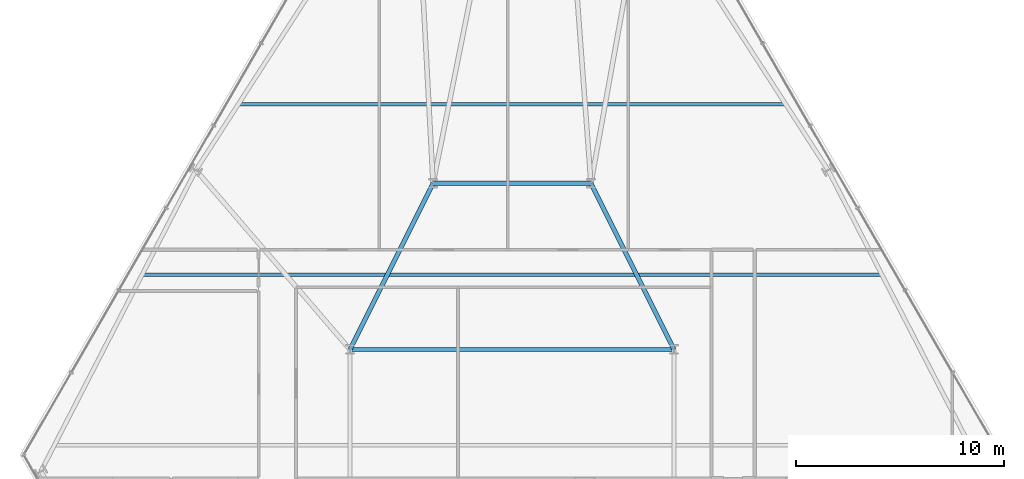
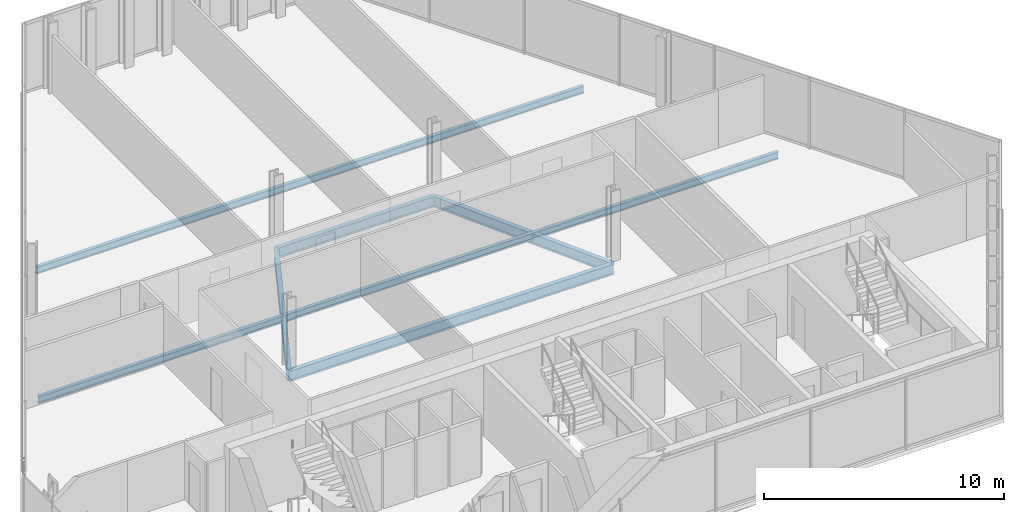
# One storey, part 15 of 32: 6 beams.
"""IFC4 building model written with IfcOpenShell, lengths in metres."""

from ifc_helpers import new_model, si_unit, direction, frame, origin, origin_2d, place, context, subcontext, project, spatial, i_section, extrude, material, material_profile, profile_set, type_object, element, save


model = new_model("IFC4")

# Units and contexts
model_context = context("Model", 3, precision=1e-05, world=origin(), true_north=direction((0.0, 1.0)))
body_context = subcontext(model_context, "Body", "Model", "MODEL_VIEW")
ifc_project = project(units=[si_unit("LENGTHUNIT", "METRE"), si_unit("AREAUNIT", "SQUARE_METRE"), si_unit("VOLUMEUNIT", "CUBIC_METRE"), si_unit("PLANEANGLEUNIT", "RADIAN"), si_unit("MASSUNIT", "GRAM", prefix="KILO")], contexts=[model_context])

# Site, building, storey
site_placement = place(None, origin())
site = spatial("IfcSite", under=ifc_project, at=site_placement, CompositionType="ELEMENT")
building_placement = place(site_placement, origin())
building = spatial("IfcBuilding", under=site, at=building_placement, Name="Ndaravel Arena Tower", CompositionType="ELEMENT")
storey_placement = place(building_placement, frame((0.0, 0.0, 74.0)))
storey = spatial("IfcBuildingStorey", under=building, at=storey_placement, Name="L16", CompositionType="ELEMENT", Elevation=74.0)

# Beams
ifc_material_1 = material(Name="Steel S355", Category="steel")
ifc_material_profile_1 = material_profile(ifc_material_1, i_section(OverallWidth=0.210693359375, OverallDepth=0.53955078125, WebThickness=0.01171875, FlangeThickness=0.018798828125, FilletRadius=0.0126953125, at=origin_2d()), Name="UB 533x210x109")
ifc_profile_set_1 = profile_set([ifc_material_profile_1], Name="Steel S355")
beam_type_1 = type_object("IfcBeamType", Name="BM-GIRD-UB533", PredefinedType="BEAM", material=ifc_profile_set_1)
beam_1_placement = place(storey_placement, frame((34.199951171875, 23.199951171875, -0.48974609375), z_axis=(1.0, 0.0, 0.0), x_axis=(0.0, 1.0, 0.0)))
element("IfcBeam", 1, at=beam_1_placement, inside=storey, type_object=beam_type_1, Name="L16 Spine Link Girder SLG-03", PredefinedType="BEAM", context=body_context, shape_type="SweptSolid", body=[
    extrude(i_section(OverallWidth=0.210693359375, OverallDepth=0.53955078125, WebThickness=0.01171875, FlangeThickness=0.018798828125, FilletRadius=0.0126953125, at=origin_2d()), origin(), (0.0, 0.0, 1.0), 15.60009765625),
])
for number, where, z_axis, x_axis, name in (
    (2, (34.199951171875, 23.199951171875, -0.48974609375), (0.4472135955, 0.894427191, 0.0), (-0.894427191, 0.4472135955, 0.0), "L16 Spine Link Girder SLG-04"),
    (3, (49.800048828125, 23.199951171875, -0.48974609375), (-0.4472135955, 0.894427191, 0.0), (-0.894427191, -0.4472135955, 0.0), "L16 Spine Link Girder SLG-05"),
):
    element("IfcBeam", number, at=place(storey_placement, frame(where, z_axis=z_axis, x_axis=x_axis)), inside=storey, type_object=beam_type_1, Name=name, PredefinedType="BEAM", context=body_context, shape_type="SweptSolid", body=[
        extrude(i_section(OverallWidth=0.210693359375, OverallDepth=0.53955078125, WebThickness=0.01171875, FlangeThickness=0.018798828125, FilletRadius=0.0126953125, at=origin_2d()), origin(), (0.0, 0.0, 1.0), 8.9443359375),
    ])
beam_2_placement = place(storey_placement, frame((38.199951171875, 31.199951171875, -0.48974609375), z_axis=(1.0, 0.0, 0.0), x_axis=(0.0, 1.0, 0.0)))
element("IfcBeam", 4, at=beam_2_placement, inside=storey, type_object=beam_type_1, Name="L16 Spine Link Girder SLG-06", PredefinedType="BEAM", context=body_context, shape_type="SweptSolid", body=[
    extrude(i_section(OverallWidth=0.210693359375, OverallDepth=0.53955078125, WebThickness=0.01171875, FlangeThickness=0.018798828125, FilletRadius=0.0126953125, at=origin_2d()), origin(), (0.0, 0.0, 1.0), 7.60009765625),
])
ifc_material_2 = material(Name="Steel S355", Category="steel")
ifc_material_profile_2 = material_profile(ifc_material_2, i_section(OverallWidth=0.169921875, OverallDepth=0.360107421875, WebThickness=0.008056640625, FlangeThickness=0.0126953125, FilletRadius=0.01806640625, at=origin_2d()), Name="IPE 360")
ifc_profile_set_2 = profile_set([ifc_material_profile_2], Name="Steel S355")
beam_type_2 = type_object("IfcBeamType", Name="BM-JOIST-IPE360", PredefinedType="JOIST", material=ifc_profile_set_2)
beam_3_placement = place(storey_placement, frame((24.1923828125, 26.800048828125, -0.39990234375), z_axis=(1.0, 0.0, 0.0), x_axis=(0.0, 1.0, 0.0)))
element("IfcBeam", 5, at=beam_3_placement, inside=storey, type_object=beam_type_2, Name="L16 Composite Floor Joist FJ-02", PredefinedType="JOIST", context=body_context, shape_type="SweptSolid", body=[
    extrude(i_section(OverallWidth=0.169921875, OverallDepth=0.360107421875, WebThickness=0.008056640625, FlangeThickness=0.0126953125, FilletRadius=0.01806640625, at=origin_2d()), origin(), (0.0, 0.0, 1.0), 35.615234375),
])
beam_4_placement = place(storey_placement, frame((28.8203125, 35.0, -0.39990234375), z_axis=(1.0, 0.0, 0.0), x_axis=(0.0, 1.0, 0.0)))
element("IfcBeam", 6, at=beam_4_placement, inside=storey, type_object=beam_type_2, Name="L16 Composite Floor Joist FJ-03", PredefinedType="JOIST", context=body_context, shape_type="SweptSolid", body=[
    extrude(i_section(OverallWidth=0.169921875, OverallDepth=0.360107421875, WebThickness=0.008056640625, FlangeThickness=0.0126953125, FilletRadius=0.01806640625, at=origin_2d()), origin(), (0.0, 0.0, 1.0), 26.359375),
])

save(model, "model.ifc")
